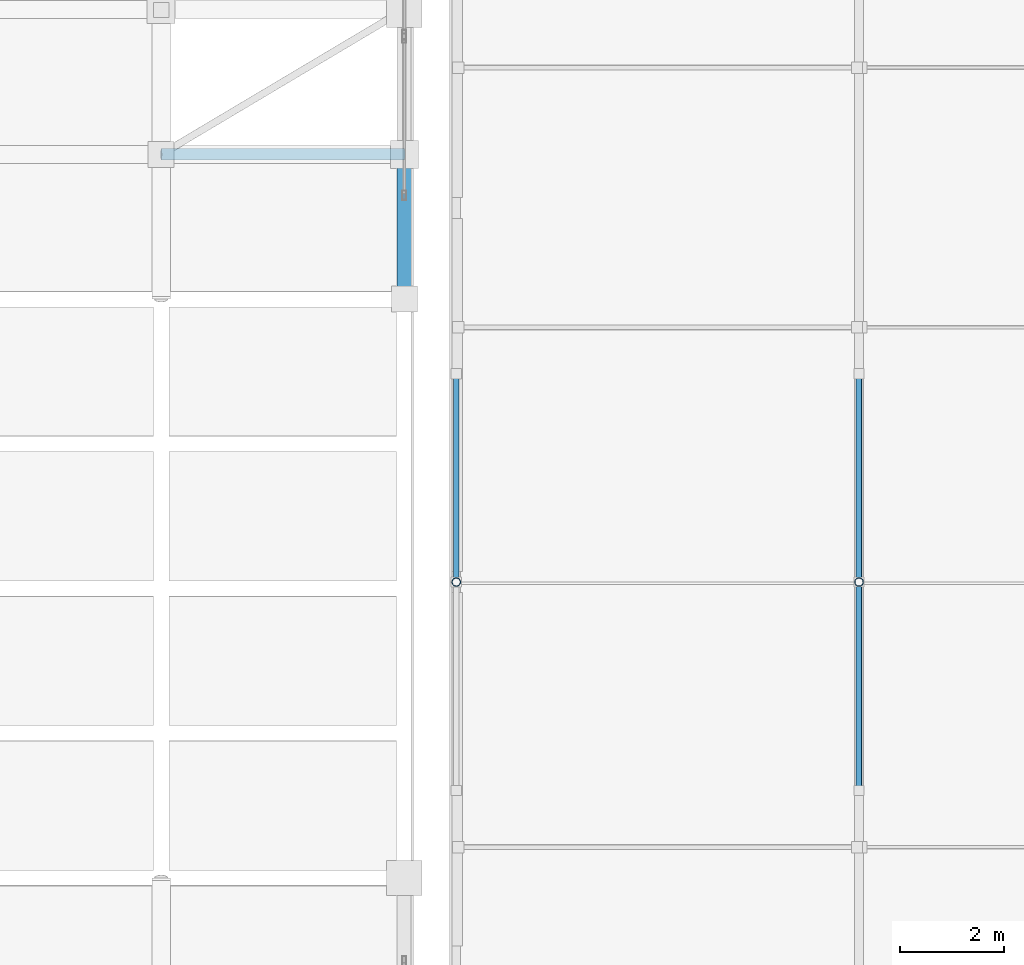
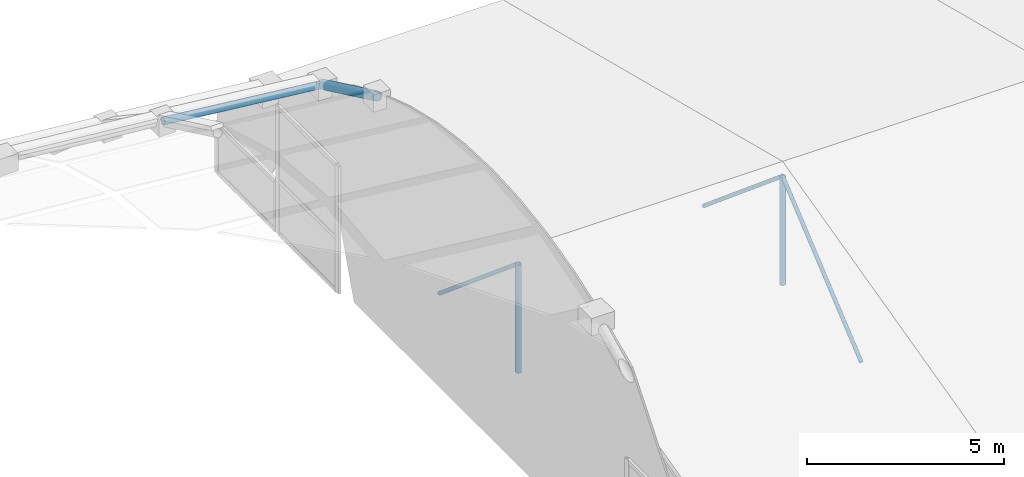
# One storey, part 31 of 65: 6 members, 1 beam.
"""IFC4 building model written with IfcOpenShell, lengths in metres."""

import ifcopenshell
import ifcopenshell.guid

model = None  # the IFC model being written
_history = None  # IfcOwnerHistory: only IFC2X3 demands one
_inside = {}  # id of a spatial element -> (the spatial element, [elements in it])
_under = {}  # id of a project, library or spatial element -> (it, [spatial elements below it])
_declared = {}  # id of a project -> (the project, [libraries it declares])
_typed = {}  # id of a type object -> (the type object, [elements of that type])
_made_of = {}  # id of a material, layer set ... -> (it, [elements and type objects made of it])


def new_model(schema):
    """Start an empty IFC model of exactly this schema.

    Asked for "IFC4X3", IfcOpenShell would pick the latest addendum, in which some entities
    have other attributes; the version numbers below select the first issue.
    IFC2X3 requires an IfcOwnerHistory on every rooted entity: one is made here for all.
    """
    global model, _history
    if schema == "IFC4X3":
        model = ifcopenshell.file(schema_version=(4, 3, 0, 0))
    else:
        model = ifcopenshell.file(schema=schema)
    _inside.clear()
    _under.clear()
    _declared.clear()
    _typed.clear()
    _made_of.clear()
    _history = None
    if model.schema == "IFC2X3":
        org = make("IfcOrganization", Name="unknown")
        user = make(
            "IfcPersonAndOrganization",
            ThePerson=make("IfcPerson", FamilyName="unknown"),
            TheOrganization=org,
        )
        app = make(
            "IfcApplication",
            ApplicationDeveloper=org,
            Version="unknown",
            ApplicationFullName="unknown",
            ApplicationIdentifier="unknown",
        )
        _history = make(
            "IfcOwnerHistory",
            OwningUser=user,
            OwningApplication=app,
            ChangeAction="ADDED",
            CreationDate=0,
        )
    return model


def make(cls, **values):
    """One entity of the class cls with the attributes given. An attribute that is None is left unset."""
    return model.create_entity(
        cls, **{name: value for name, value in values.items() if value is not None}
    )


def rooted(cls, **values):
    """An entity with a GlobalId (a new one), such as an element, a storey or a relation."""
    return make(cls, GlobalId=ifcopenshell.guid.new(), OwnerHistory=_history, **values)


def si_unit(unit_type, name, prefix=None):
    """IfcSIUnit, for example si_unit("LENGTHUNIT", "METRE", prefix="MILLI")."""
    return make("IfcSIUnit", UnitType=unit_type, Prefix=prefix, Name=name)


def assignment(units):
    """IfcUnitAssignment: the units of a project."""
    return None if units is None else make("IfcUnitAssignment", Units=units)


def point(xyz):
    """IfcCartesianPoint."""
    return None if xyz is None else make("IfcCartesianPoint", Coordinates=xyz)


def direction(xyz):
    """IfcDirection."""
    return None if xyz is None else make("IfcDirection", DirectionRatios=xyz)


def frame(location, z_axis=None, x_axis=None):
    """IfcAxis2Placement3D, a coordinate frame: its origin and axes. An axis left out is left unset."""
    return make(
        "IfcAxis2Placement3D",
        Location=point(location),
        Axis=direction(z_axis),
        RefDirection=direction(x_axis),
    )


def frame_2d(location, x_axis=None):
    """IfcAxis2Placement2D, a coordinate frame in the plane: its origin and x axis."""
    return make(
        "IfcAxis2Placement2D", Location=point(location), RefDirection=direction(x_axis)
    )


def origin():
    """The frame at (0, 0, 0) with its axes left unset."""
    return frame((0.0, 0.0, 0.0))


def origin_2d():
    """The frame at (0, 0) in the plane with its x axis left unset."""
    return frame_2d((0.0, 0.0))


def place(relative_to, where):
    """IfcLocalPlacement: puts the frame where relative to a parent placement (None: the world)."""
    return make(
        "IfcLocalPlacement", PlacementRelTo=relative_to, RelativePlacement=where
    )


def context(
    kind, dimensions, precision=None, world=None, true_north=None, identifier=None
):
    """IfcGeometricRepresentationContext, for example the 3D "Model" context."""
    return make(
        "IfcGeometricRepresentationContext",
        ContextIdentifier=identifier,
        ContextType=kind,
        CoordinateSpaceDimension=dimensions,
        Precision=precision,
        WorldCoordinateSystem=world,
        TrueNorth=true_north,
    )


def subcontext(parent, identifier, kind, view, scale=None):
    """IfcGeometricRepresentationSubContext, for example "Body" below "Model"."""
    return make(
        "IfcGeometricRepresentationSubContext",
        ContextIdentifier=identifier,
        ContextType=kind,
        ParentContext=parent,
        TargetScale=scale,
        TargetView=view,
    )


def project(units=None, contexts=None):
    """IfcProject with its units and contexts."""
    return rooted(
        "IfcProject",
        Name="project",
        RepresentationContexts=contexts,
        UnitsInContext=assignment(units),
    )


def spatial(cls, under=None, at=None, **own):
    """A site, building, storey or space (cls), placed at a placement, below another one or the project."""
    s = rooted(cls, ObjectPlacement=at, **own)
    if under is not None:
        _under.setdefault(under.id(), (under, []))[1].append(s)
    return s


def profile(cls, at=None, kind="AREA", **sizes):
    """A parametric profile (cls). Its sizes go by their IFC names, for example OverallWidth=200.0."""
    return make(cls, ProfileType=kind, Position=at, **sizes)


def hollow_circle(**sizes):
    """IfcCircleHollowProfileDef."""
    return profile("IfcCircleHollowProfileDef", **sizes)


def extrude(swept, where, along, depth):
    """IfcExtrudedAreaSolid: the profile swept, set in the frame where, extruded along a direction by depth."""
    return make(
        "IfcExtrudedAreaSolid",
        SweptArea=swept,
        Position=where,
        ExtrudedDirection=direction(along),
        Depth=depth,
    )


def shape(context_of_items, identifier, shape_type, items):
    """IfcShapeRepresentation: the items that make up one representation, for example the "Body"."""
    return make(
        "IfcShapeRepresentation",
        ContextOfItems=context_of_items,
        RepresentationIdentifier=identifier,
        RepresentationType=shape_type,
        Items=items,
    )


def material(Name=None, Category=None):
    """IfcMaterial."""
    return make("IfcMaterial", Name=Name, Category=Category)


def material_profile(
    of_material, cross_section, Name=None, Category=None, Priority=None
):
    """IfcMaterialProfile: a cross section and its material."""
    return make(
        "IfcMaterialProfile",
        Name=Name,
        Material=of_material,
        Profile=cross_section,
        Priority=Priority,
        Category=Category,
    )


def profile_set(profiles, Name=None, composite=None):
    """IfcMaterialProfileSet."""
    return make(
        "IfcMaterialProfileSet",
        Name=Name,
        MaterialProfiles=profiles,
        CompositeProfile=composite,
    )


def made_of(thing, what):
    """Note that an element or type object is made of a material, layer set ...; save() writes the relation."""
    if what is not None:
        _made_of.setdefault(what.id(), (what, []))[1].append(thing)
    return thing


def type_object(cls, material=None, **own):
    """A type object (cls), such as IfcWallType, which elements share."""
    return made_of(rooted(cls, **own), material)


def element(
    cls,
    number,
    at=None,
    inside=None,
    cuts=None,
    type_object=None,
    material=None,
    context=None,
    identifier="Body",
    shape_type=None,
    held_by="IfcProductDefinitionShape",
    body=None,
    shapes=None,
    **own,
):
    """One element of the class cls, such as IfcWall. Its Tag is "e" and its number.

    at: its placement. inside: the storey or other place that contains it. cuts: it is an
    opening in that element (IfcRelVoidsElement). A single representation is given by context,
    identifier, shape_type and body (its items); several are given by shapes. held_by: the class
    of the entity that holds the representations. save() writes the other relations.
    """
    e = rooted(cls, Tag="e%d" % number, ObjectPlacement=at, **own)
    if body is not None:
        shapes = [shape(context, identifier, shape_type, body)]
    if shapes is not None:
        e.Representation = make(held_by, Representations=shapes)
    if inside is not None:
        _inside.setdefault(inside.id(), (inside, []))[1].append(e)
    if cuts is not None:
        rooted(
            "IfcRelVoidsElement", RelatingBuildingElement=cuts, RelatedOpeningElement=e
        )
    if type_object is not None:
        _typed.setdefault(type_object.id(), (type_object, []))[1].append(e)
    return made_of(e, material)


def aggregate(whole, parts):
    """IfcRelAggregates: a whole, such as a stair, and the parts it consists of."""
    return rooted("IfcRelAggregates", RelatingObject=whole, RelatedObjects=parts)


def save(model, path):
    """Write the relations noted so far, then the file.

    IfcRelAggregates (storeys below a building ...), IfcRelContainedInSpatialStructure (elements
    in a storey), IfcRelDefinesByType, IfcRelAssociatesMaterial and IfcRelDeclares: one each for
    every whole, place, type object, material and project.
    """
    for whole, parts in _under.values():
        aggregate(whole, parts)
    for where, things in _inside.values():
        rooted(
            "IfcRelContainedInSpatialStructure",
            RelatedElements=things,
            RelatingStructure=where,
        )
    for kind, things in _typed.values():
        rooted("IfcRelDefinesByType", RelatedObjects=things, RelatingType=kind)
    for what, things in _made_of.values():
        rooted("IfcRelAssociatesMaterial", RelatedObjects=things, RelatingMaterial=what)
    for by, libraries in _declared.values():
        rooted("IfcRelDeclares", RelatingContext=by, RelatedDefinitions=libraries)
    model.write(path)


model = new_model("IFC4")

# Units and contexts
model_context = context("Model", 3, precision=1e-05, world=origin(), true_north=direction((0.0, 1.0)))
body_context = subcontext(model_context, "Body", "Model", "MODEL_VIEW")
ifc_project = project(units=[si_unit("LENGTHUNIT", "METRE"), si_unit("AREAUNIT", "SQUARE_METRE"), si_unit("VOLUMEUNIT", "CUBIC_METRE"), si_unit("PLANEANGLEUNIT", "RADIAN"), si_unit("MASSUNIT", "GRAM", prefix="KILO")], contexts=[model_context])

# Site, building, storey
site_placement = place(None, origin())
site = spatial("IfcSite", under=ifc_project, at=site_placement, CompositionType="ELEMENT")
building_placement = place(site_placement, origin())
building = spatial("IfcBuilding", under=site, at=building_placement, Name="Quillay Park Conservatory", CompositionType="ELEMENT")
storey_placement = place(building_placement, frame((0.0, 0.0, 14.10009765625)))
storey = spatial("IfcBuildingStorey", under=building, at=storey_placement, Name="L03", CompositionType="ELEMENT", Elevation=14.10009765625)

# Members
ifc_material_1 = material(Name="Steel S355J2H", Category="steel")
ifc_material_profile_1 = material_profile(ifc_material_1, hollow_circle(Radius=0.05712890625, WallThickness=0.00634765625, at=origin_2d()), Name="CHS114.3x6.3")
ifc_profile_set_1 = profile_set([ifc_material_profile_1], Name="Steel S355J2H")
member_type_1 = type_object("IfcMemberType", Name="CANOPY TIE STRUT CHS114", PredefinedType="STRUT", material=ifc_profile_set_1)
for number, where, z_axis, x_axis, name in (
    (1, (115.85009765625, 103.60009765625, -1.5), (0.0, -0.766661786486, 0.642051170189), (1.0, 0.0, 0.0), "Gridshell member AUD-STR-DN1"),
    (2, (123.60009765625, 95.60009765625, -1.5), (0.0, 0.766661786486, 0.642051170189), (-1.0, 0.0, 0.0), "Gridshell member AUD-STR-D2"),
    (3, (123.60009765625, 103.60009765625, -1.5), (0.0, -0.766661786486, 0.642051170189), (1.0, 0.0, 0.0), "Gridshell member AUD-STR-DN2"),
):
    element("IfcMember", number, at=place(storey_placement, frame(where, z_axis=z_axis, x_axis=x_axis)), inside=storey, type_object=member_type_1, Name=name, PredefinedType="STRUT", context=body_context, shape_type="SweptSolid", body=[
        extrude(hollow_circle(Radius=0.05712890625, WallThickness=0.00634765625, at=origin_2d()), origin(), (0.0, 0.0, 1.0), 5.217529296875),
    ])
ifc_material_2 = material(Name="Steel S355J2H", Category="steel")
ifc_material_profile_2 = material_profile(ifc_material_2, hollow_circle(Radius=0.084228515625, WallThickness=0.008056640625, at=origin_2d()), Name="CHS168.3x8")
ifc_profile_set_2 = profile_set([ifc_material_profile_2], Name="Steel S355J2H")
member_type_2 = type_object("IfcMemberType", Name="CANOPY TIE STRUT CHS168", PredefinedType="STRUT", material=ifc_profile_set_2)
for number, where, z_axis, x_axis, name in (
    (4, (115.85009765625, 99.60009765625, -1.5), (0.0, 0.0, 1.0), (1.0, 0.0, 0.0), "Gridshell member AUD-STR-K1"),
    (5, (123.60009765625, 99.60009765625, -1.5), (0.0, 0.0, 1.0), (1.0, 0.0, 0.0), "Gridshell member AUD-STR-K2"),
):
    element("IfcMember", number, at=place(storey_placement, frame(where, z_axis=z_axis, x_axis=x_axis)), inside=storey, type_object=member_type_2, Name=name, PredefinedType="STRUT", context=body_context, shape_type="SweptSolid", body=[
        extrude(hollow_circle(Radius=0.084228515625, WallThickness=0.008056640625, at=origin_2d()), origin(), (0.0, 0.0, 1.0), 3.349853515625),
    ])

# Beam
ifc_material_3 = material(Name="Steel S355J2H", Category="steel")
ifc_material_profile_3 = material_profile(ifc_material_3, hollow_circle(Radius=0.136474609375, WallThickness=0.012451171875, at=origin_2d()), Name="CHS273x12.5")
ifc_profile_set_3 = profile_set([ifc_material_profile_3], Name="Steel S355J2H")
beam_type = type_object("IfcBeamType", Name="GRIDSHELL ARCH BEAM CHS273", PredefinedType="USERDEFINED", material=ifc_profile_set_3)
beam_placement = place(storey_placement, frame((114.85009765625, 105.044921875, 4.090087890625), z_axis=(0.0, 0.903117900184, -0.429392662219), x_axis=(-1.0, 0.0, 0.0)))
element("IfcBeam", 6, at=beam_placement, inside=storey, type_object=beam_type, Name="Gridshell member GS-ARCH-18-07", ObjectType="GRIDSHELL ARCH BEAM", PredefinedType="USERDEFINED", context=body_context, shape_type="SweptSolid", body=[
    extrude(hollow_circle(Radius=0.136474609375, WallThickness=0.012451171875, at=origin_2d()), origin(), (0.0, 0.0, 1.0), 3.083984375),
])

# Member
ifc_material_4 = material(Name="Steel S355J2H", Category="steel")
ifc_material_profile_4 = material_profile(ifc_material_4, hollow_circle(Radius=0.109619140625, WallThickness=0.010009765625, at=origin_2d()), Name="CHS219.1x10")
ifc_profile_set_4 = profile_set([ifc_material_profile_4], Name="Steel S355J2H")
member_type_3 = type_object("IfcMemberType", Name="GRIDSHELL ARCH RIB CHS219", PredefinedType="USERDEFINED", material=ifc_profile_set_4)
member_placement = place(storey_placement, frame((110.172119140625, 107.830078125, 3.261962890625), z_axis=(0.994423821707, 0.0, -0.105457398137), x_axis=(0.0, 1.0, 0.0)))
element("IfcMember", 7, at=member_placement, inside=storey, type_object=member_type_3, Name="Gridshell member GS-RIB-17-08", ObjectType="GRIDSHELL ARCH RIB", PredefinedType="USERDEFINED", context=body_context, shape_type="SweptSolid", body=[
    extrude(hollow_circle(Radius=0.109619140625, WallThickness=0.010009765625, at=origin_2d()), origin(), (0.0, 0.0, 1.0), 4.7041015625),
])

save(model, "model.ifc")
